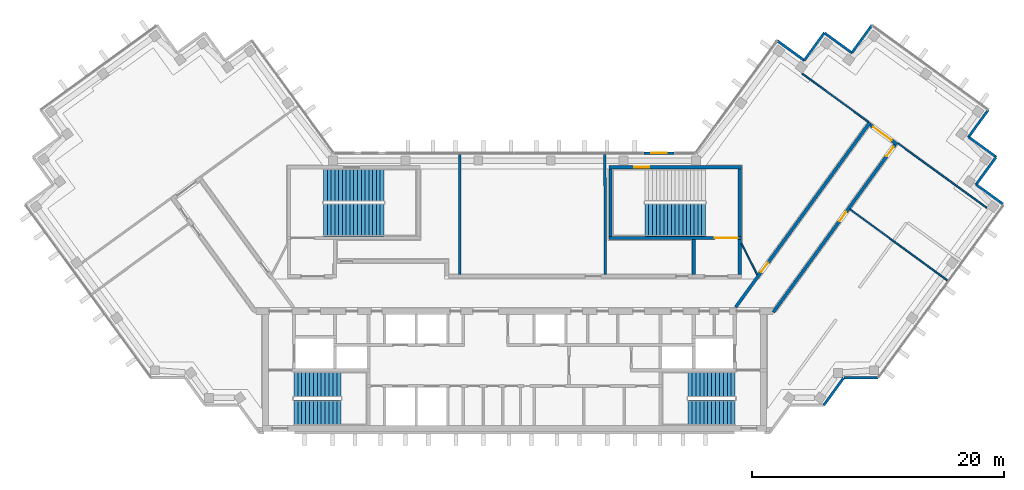
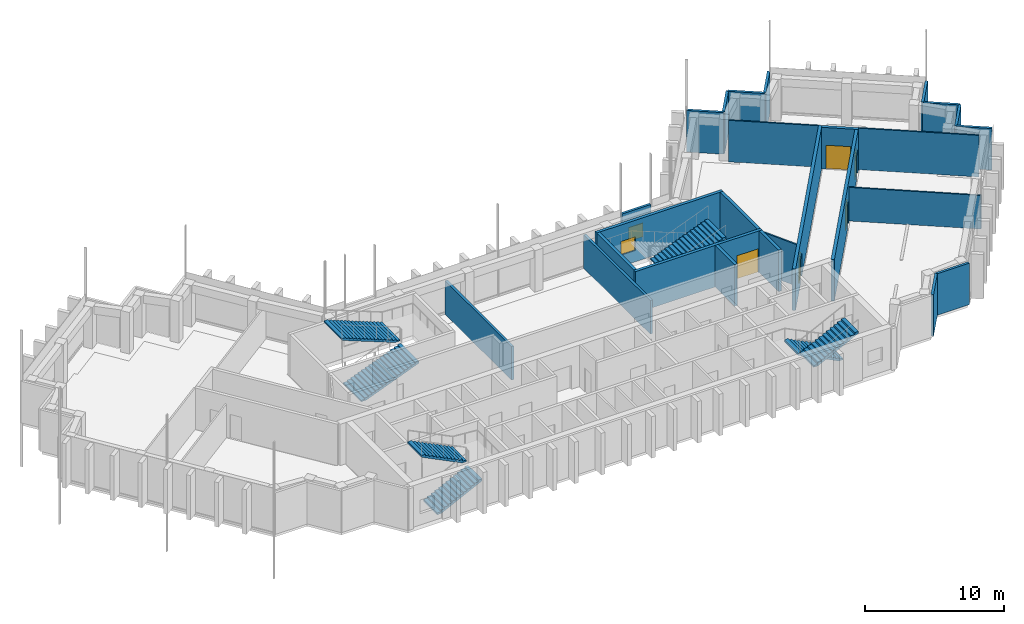
# One storey, part 11 of 14: 26 walls, 7 stair flights, 5 doors, 2 windows, 7 openings, 4 elements without a shape of their own.
"""IFC4 building model written with IfcOpenShell, lengths in metres."""

from ifc_helpers import new_model, si_unit, direction, frame, frame_2d, origin, place, context, subcontext, project, spatial, polyline, rectangle, outline, extrude, material, layer, layer_set, type_object, element, fill, aggregate, save


model = new_model("IFC4")

# Units and contexts
model_context = context("Model", 3, precision=1e-05, world=origin(), true_north=direction((0.0, 1.0)))
body_context = subcontext(model_context, "Body", "Model", "MODEL_VIEW")
ifc_project = project(units=[si_unit("LENGTHUNIT", "METRE"), si_unit("AREAUNIT", "SQUARE_METRE"), si_unit("VOLUMEUNIT", "CUBIC_METRE"), si_unit("PLANEANGLEUNIT", "RADIAN"), si_unit("MASSUNIT", "GRAM", prefix="KILO")], contexts=[model_context])

# Site, building, storey
site_placement = place(None, origin())
site = spatial("IfcSite", under=ifc_project, at=site_placement, CompositionType="ELEMENT")
building_placement = place(site_placement, origin())
building = spatial("IfcBuilding", under=site, at=building_placement, Name="Quipu Civic Tower", CompositionType="ELEMENT")
storey_placement = place(building_placement, frame((0.0, 0.0, 323.0)))
storey = spatial("IfcBuildingStorey", under=building, at=storey_placement, Name="L75", CompositionType="ELEMENT", Elevation=323.0)

# Walls
ifc_material_1 = material(Name="Fired clay blockwork", Category="masonry")
ifc_layer_1 = layer(ifc_material_1, 0.199951171875)
ifc_layer_set_1 = layer_set([ifc_layer_1], Name="Fired clay blockwork")
wall_type_1 = type_object("IfcWallType", Name="Blockwork wall 200", PredefinedType="SOLIDWALL", material=ifc_layer_set_1)
for number, where, z_axis, x_axis, name in (
    (1, (-4.339111328125, 1.449951171875, 0.0), (0.0, 0.0, 1.0), (0.0, 1.0, 0.0), "Partition P04"),
    (2, (7.197998046875, 1.449951171875, 0.0), (0.0, 0.0, 1.0), (-0.002377476217, 0.999997173799, 0.0), "Partition P08"),
):
    element("IfcWall", number, at=place(storey_placement, frame(where, z_axis=z_axis, x_axis=x_axis)), inside=storey, type_object=wall_type_1, Name=name, PredefinedType="SOLIDWALL", context=body_context, shape_type="SweptSolid", body=[
        extrude(rectangle(XDim=9.550048828125, YDim=0.199951171875, at=frame_2d((4.77490234375, 0.0))), origin(), (0.0, 0.0, 1.0), 2.949951171875),
    ])
ifc_material_2 = material(Name="Concrete C70/85", Category="concrete")
ifc_layer_2 = layer(ifc_material_2, 0.25)
ifc_layer_set_2 = layer_set([ifc_layer_2], Name="Concrete C70/85")
wall_type_2 = type_object("IfcWallType", Name="Core wall 250", PredefinedType="SHEAR", material=ifc_layer_set_2)
for number, where, z_axis, x_axis, name in (
    (3, (14.22509765625, 1.449951171875, 0.0), (0.0, 0.0, 1.0), (0.0, 1.0, 0.0), "Core wall"),
    (4, (17.875, 1.449951171875, 0.0), (0.0, 0.0, 1.0), (0.0, 1.0, 0.0), "Core wall"),
):
    element("IfcWall", number, at=place(storey_placement, frame(where, z_axis=z_axis, x_axis=x_axis)), inside=storey, type_object=wall_type_2, Name=name, PredefinedType="SHEAR", context=body_context, shape_type="SweptSolid", body=[
        extrude(rectangle(XDim=2.800048828125, YDim=0.25, at=frame_2d((1.39990234375, 0.0))), origin(), (0.0, 0.0, 1.0), 3.64990234375),
    ])

# Wall, opening, door
wall_1_placement = place(storey_placement, frame((7.5, 4.375, 0.0), z_axis=(0.0, 0.0, 1.0), x_axis=(1.0, 0.0, 0.0)))
wall_1 = element("IfcWall", 5, at=wall_1_placement, inside=storey, type_object=wall_type_2, Name="Core wall", PredefinedType="SHEAR", context=body_context, shape_type="SweptSolid", body=[
    extrude(rectangle(XDim=10.5, YDim=0.25, at=frame_2d((5.25, 0.0))), origin(), (0.0, 0.0, 1.0), 3.64990234375),
])
opening_1_placement = place(wall_1_placement, frame((8.39990234375, 0.0, 0.0)))
opening_1 = element("IfcOpeningElement", 6, at=opening_1_placement, cuts=wall_1, Name="Opening CD-31", PredefinedType="OPENING", context=body_context, shape_type="SweptSolid", body=[
    extrude(rectangle(XDim=1.800048828125, YDim=2.10009765625, at=frame_2d((0.89990234375, 1.050048828125))), frame((0.0, 0.135009765625, 0.0), z_axis=(0.0, -1.0, 0.0), x_axis=(1.0, 0.0, 0.0)), (0.0, 0.0, 1.0), 0.27001953125),
])
ifc_material_3 = material(Name="Fire rated steel door", Category="steel")
door_type_1 = type_object("IfcDoorType", Name="Fire door FD90 double 1800 x 2100", OperationType="NOTDEFINED", PredefinedType="DOOR", material=ifc_material_3)
door_1_placement = place(opening_1_placement, origin())
door_1 = element("IfcDoor", 7, at=door_1_placement, inside=storey, type_object=door_type_1, Name="Door", OperationType="DOUBLE_DOOR_SINGLE_SWING", OverallHeight=2.10009765625, OverallWidth=1.800048828125, PredefinedType="DOOR", context=body_context, shape_type="SweptSolid", body=[
    extrude(rectangle(XDim=1.800048828125, YDim=2.10009765625, at=frame_2d((0.89990234375, 1.050048828125))), frame((0.0, 0.02490234375, 0.0), z_axis=(0.0, -1.0, 0.0), x_axis=(1.0, 0.0, 0.0)), (0.0, 0.0, 1.0), 0.050048828125),
])
fill(opening_1, door_1)

# Walls
for number, where, z_axis, x_axis, name in (
    (8, (7.625, 4.5, 0.0), (0.0, 0.0, 1.0), (0.0, 1.0, 0.0), "Core wall"),
    (9, (17.875, 4.5, 0.0), (0.0, 0.0, 1.0), (0.0, 1.0, 0.0), "Core wall"),
):
    element("IfcWall", number, at=place(storey_placement, frame(where, z_axis=z_axis, x_axis=x_axis)), inside=storey, type_object=wall_type_2, Name=name, PredefinedType="SHEAR", context=body_context, shape_type="SweptSolid", body=[
        extrude(rectangle(XDim=5.35009765625, YDim=0.25, at=frame_2d((2.675048828125, 0.0))), origin(), (0.0, 0.0, 1.0), 3.64990234375),
    ])

# Wall, opening, window
wall_2_placement = place(storey_placement, frame((7.5, 9.97509765625, 0.0), z_axis=(0.0, 0.0, 1.0), x_axis=(1.0, 0.0, 0.0)))
wall_2 = element("IfcWall", 10, at=wall_2_placement, inside=storey, type_object=wall_type_2, Name="Core wall", PredefinedType="SHEAR", context=body_context, shape_type="SweptSolid", body=[
    extrude(rectangle(XDim=10.5, YDim=0.25, at=frame_2d((5.25, 0.0))), origin(), (0.0, 0.0, 1.0), 3.64990234375),
])
opening_2_placement = place(wall_2_placement, frame((2.0, 0.0, 1.0)))
opening_2 = element("IfcOpeningElement", 11, at=opening_2_placement, cuts=wall_2, Name="Opening SV-4", PredefinedType="OPENING", context=body_context, shape_type="SweptSolid", body=[
    extrude(rectangle(XDim=1.199951171875, YDim=1.199951171875, at=frame_2d((0.60009765625, 0.60009765625))), frame((0.0, 0.135009765625, 0.0), z_axis=(0.0, -1.0, 0.0), x_axis=(1.0, 0.0, 0.0)), (0.0, 0.0, 1.0), 0.27001953125),
])
ifc_material_4 = material(Name="Aluminium louvre", Category="aluminium")
window_type_1 = type_object("IfcWindowType", Name="Stair ventilation louvre 1200 x 1200", PartitioningType="SINGLE_PANEL", PredefinedType="WINDOW", material=ifc_material_4)
window_1_placement = place(opening_2_placement, origin())
window_1 = element("IfcWindow", 12, at=window_1_placement, inside=storey, type_object=window_type_1, Name="Stair ventilation opening", OverallHeight=1.199951171875, OverallWidth=1.199951171875, PartitioningType="SINGLE_PANEL", PredefinedType="WINDOW", context=body_context, shape_type="SweptSolid", body=[
    extrude(rectangle(XDim=1.199951171875, YDim=1.199951171875, at=frame_2d((0.60009765625, 0.60009765625))), frame((0.0, 0.030029296875, 0.0), z_axis=(0.0, -1.0, 0.0), x_axis=(1.0, 0.0, 0.0)), (0.0, 0.0, 1.0), 0.06005859375),
])
fill(opening_2, window_1)

# Wall, opening, door
ifc_material_5 = material(Name="Concrete C50/60", Category="concrete")
ifc_layer_3 = layer(ifc_material_5, 0.25)
ifc_layer_set_3 = layer_set([ifc_layer_3], Name="Concrete C50/60")
wall_type_3 = type_object("IfcWallType", Name="Corridor wall 250 concrete", PredefinedType="SOLIDWALL", material=ifc_layer_set_3)
wall_3_placement = place(storey_placement, frame((17.544921875, -1.124755859375, 0.0), z_axis=(0.0, 0.0, 1.0), x_axis=(0.58779555165, 0.809009511354, 0.0)))
wall_3 = element("IfcWall", 13, at=wall_3_placement, inside=storey, type_object=wall_type_3, Name="Corridor wall C01", PredefinedType="SOLIDWALL", context=body_context, shape_type="SweptSolid", body=[
    extrude(rectangle(XDim=18.10302734375, YDim=0.25, at=frame_2d((9.051513671875, 0.0))), origin(), (0.0, 0.0, 1.0), 3.64990234375),
])
opening_3_placement = place(wall_3_placement, frame((3.44140625, 0.0, 0.0)))
opening_3 = element("IfcOpeningElement", 14, at=opening_3_placement, cuts=wall_3, Name="Opening D001", PredefinedType="OPENING", context=body_context, shape_type="SweptSolid", body=[
    extrude(rectangle(XDim=0.89990234375, YDim=2.10009765625, at=frame_2d((0.449951171875, 1.050048828125))), frame((0.0, 0.135009765625, 0.0), z_axis=(0.0, -1.0, 0.0), x_axis=(1.0, 0.0, 0.0)), (0.0, 0.0, 1.0), 0.27001953125),
])
ifc_material_6 = material(Name="Fire rated timber door set with metal frame", Category="wood")
door_type_2 = type_object("IfcDoorType", Name="Single door 900 x 2100 FD60", OperationType="NOTDEFINED", PredefinedType="DOOR", material=ifc_material_6)
door_2_placement = place(opening_3_placement, origin())
door_2 = element("IfcDoor", 15, at=door_2_placement, inside=storey, type_object=door_type_2, Name="Door D001", OperationType="SINGLE_SWING_LEFT", OverallHeight=2.10009765625, OverallWidth=0.89990234375, PredefinedType="DOOR", context=body_context, shape_type="SweptSolid", body=[
    extrude(rectangle(XDim=0.89990234375, YDim=2.10009765625, at=frame_2d((0.449951171875, 1.050048828125))), frame((0.0, 0.02490234375, 0.0), z_axis=(0.0, -1.0, 0.0), x_axis=(1.0, 0.0, 0.0)), (0.0, 0.0, 1.0), 0.050048828125),
])
fill(opening_3, door_2)

wall_4_placement = place(storey_placement, frame((28.21337890625, 13.34619140625, 0.0), z_axis=(0.0, 0.0, 1.0), x_axis=(0.809006914995, -0.587799125119, 0.0)))
wall_4 = element("IfcWall", 16, at=wall_4_placement, inside=storey, type_object=wall_type_3, Name="Corridor wall C02", PredefinedType="SOLIDWALL", context=body_context, shape_type="SweptSolid", body=[
    extrude(rectangle(XDim=2.64990234375, YDim=0.25, at=frame_2d((1.324951171875, 0.0))), origin(), (0.0, 0.0, 1.0), 3.64990234375),
])
opening_4_placement = place(wall_4_placement, frame((0.30029296875, 0.0, 0.0)))
opening_4 = element("IfcOpeningElement", 17, at=opening_4_placement, cuts=wall_4, Name="Opening D004", PredefinedType="OPENING", context=body_context, shape_type="SweptSolid", body=[
    extrude(rectangle(XDim=1.800048828125, YDim=2.10009765625, at=frame_2d((0.89990234375, 1.050048828125))), frame((0.0, 0.135009765625, 0.0), z_axis=(0.0, -1.0, 0.0), x_axis=(1.0, 0.0, 0.0)), (0.0, 0.0, 1.0), 0.27001953125),
])
ifc_material_7 = material(Name="Fire rated timber door set with metal frame", Category="wood")
door_type_3 = type_object("IfcDoorType", Name="Double door 1800 x 2100 FD60", OperationType="DOUBLE_DOOR_SINGLE_SWING", PredefinedType="DOOR", material=ifc_material_7)
door_3_placement = place(opening_4_placement, origin())
door_3 = element("IfcDoor", 18, at=door_3_placement, inside=storey, type_object=door_type_3, Name="Door D004", OperationType="DOUBLE_DOOR_SINGLE_SWING", OverallHeight=2.10009765625, OverallWidth=1.800048828125, PredefinedType="DOOR", context=body_context, shape_type="SweptSolid", body=[
    extrude(rectangle(XDim=1.800048828125, YDim=2.10009765625, at=frame_2d((0.89990234375, 1.050048828125))), frame((0.0, 0.02490234375, 0.0), z_axis=(0.0, -1.0, 0.0), x_axis=(1.0, 0.0, 0.0)), (0.0, 0.0, 1.0), 0.050048828125),
])
fill(opening_4, door_3)

# Wall, openings, doors
wall_5_placement = place(storey_placement, frame((30.1826171875, 11.760986328125, 0.0), z_axis=(0.0, 0.0, 1.0), x_axis=(-0.587781762867, -0.80901952958, 0.0)))
wall_5 = element("IfcWall", 19, at=wall_5_placement, inside=storey, type_object=wall_type_3, Name="Corridor wall C03", PredefinedType="SOLIDWALL", context=body_context, shape_type="SweptSolid", body=[
    extrude(rectangle(XDim=16.42041015625, YDim=0.25, at=frame_2d((8.210205078125, 0.0))), origin(), (0.0, 0.0, 1.0), 3.64990234375),
])
opening_5_placement = place(wall_5_placement, frame((0.224609375, 0.0, 0.0)))
opening_5 = element("IfcOpeningElement", 20, at=opening_5_placement, cuts=wall_5, Name="Opening D003", PredefinedType="OPENING", context=body_context, shape_type="SweptSolid", body=[
    extrude(rectangle(XDim=0.89990234375, YDim=2.10009765625, at=frame_2d((0.449951171875, 1.050048828125))), frame((0.0, 0.135009765625, 0.0), z_axis=(0.0, -1.0, 0.0), x_axis=(1.0, 0.0, 0.0)), (0.0, 0.0, 1.0), 0.27001953125),
])
opening_6_placement = place(wall_5_placement, frame((6.604736328125, 0.0, 0.0)))
opening_6 = element("IfcOpeningElement", 21, at=opening_6_placement, cuts=wall_5, Name="Opening D002", PredefinedType="OPENING", context=body_context, shape_type="SweptSolid", body=[
    extrude(rectangle(XDim=0.89990234375, YDim=2.10009765625, at=frame_2d((0.449951171875, 1.050048828125))), frame((0.0, 0.135009765625, 0.0), z_axis=(0.0, -1.0, 0.0), x_axis=(1.0, 0.0, 0.0)), (0.0, 0.0, 1.0), 0.27001953125),
])
door_4_placement = place(opening_5_placement, origin())
door_4 = element("IfcDoor", 22, at=door_4_placement, inside=storey, type_object=door_type_2, Name="Door D003", OperationType="SINGLE_SWING_LEFT", OverallHeight=2.10009765625, OverallWidth=0.89990234375, PredefinedType="DOOR", context=body_context, shape_type="SweptSolid", body=[
    extrude(rectangle(XDim=0.89990234375, YDim=2.10009765625, at=frame_2d((0.449951171875, 1.050048828125))), frame((0.0, 0.02490234375, 0.0), z_axis=(0.0, -1.0, 0.0), x_axis=(1.0, 0.0, 0.0)), (0.0, 0.0, 1.0), 0.050048828125),
])
fill(opening_5, door_4)
door_5_placement = place(opening_6_placement, origin())
door_5 = element("IfcDoor", 23, at=door_5_placement, inside=storey, type_object=door_type_2, Name="Door D002", OperationType="SINGLE_SWING_LEFT", OverallHeight=2.10009765625, OverallWidth=0.89990234375, PredefinedType="DOOR", context=body_context, shape_type="SweptSolid", body=[
    extrude(rectangle(XDim=0.89990234375, YDim=2.10009765625, at=frame_2d((0.449951171875, 1.050048828125))), frame((0.0, 0.02490234375, 0.0), z_axis=(0.0, -1.0, 0.0), x_axis=(1.0, 0.0, 0.0)), (0.0, 0.0, 1.0), 0.050048828125),
])
fill(opening_6, door_5)

# Walls
ifc_material_8 = material(Name="Gypsum plasterboard on light gauge framing")
ifc_layer_4 = layer(ifc_material_8, 0.1201171875)
ifc_layer_set_4 = layer_set([ifc_layer_4], Name="Gypsum plasterboard on light gauge framing")
wall_type_4 = type_object("IfcWallType", Name="Partition 120 plasterboard", PredefinedType="PARTITIONING", material=ifc_layer_set_4)
wall_6_placement = place(storey_placement, frame((28.0732421875, 13.577880859375, 0.0), z_axis=(0.0, 0.0, 1.0), x_axis=(-0.809000932727, 0.587807358619, 0.0)))
element("IfcWall", 24, at=wall_6_placement, inside=storey, type_object=wall_type_4, Name="Partition P01", PredefinedType="PARTITIONING", context=body_context, shape_type="SweptSolid", body=[
    extrude(rectangle(XDim=6.49560546875, YDim=0.1201171875, at=frame_2d((3.247802734375, 0.0))), origin(), (0.0, 0.0, 1.0), 3.64990234375),
])
wall_7_placement = place(storey_placement, frame((37.4580078125, 6.759765625, 0.0), z_axis=(0.0, 0.0, 1.0), x_axis=(-0.809016295501, 0.587786214209, 0.0)))
element("IfcWall", 25, at=wall_7_placement, inside=storey, type_object=wall_type_4, Name="Partition P02", PredefinedType="PARTITIONING", context=body_context, shape_type="SweptSolid", body=[
    extrude(rectangle(XDim=8.700439453125, YDim=0.1201171875, at=frame_2d((4.35009765625, 0.0))), origin(), (0.0, 0.0, 1.0), 3.64990234375),
])
wall_8_placement = place(storey_placement, frame((26.618896484375, 6.643310546875, 0.0), z_axis=(0.0, 0.0, 1.0), x_axis=(0.807594822539, -0.589737740532, 0.0)))
element("IfcWall", 26, at=wall_8_placement, inside=storey, type_object=wall_type_4, Name="Partition P03", PredefinedType="PARTITIONING", context=body_context, shape_type="SweptSolid", body=[
    extrude(rectangle(XDim=9.550048828125, YDim=0.1201171875, at=frame_2d((4.77490234375, 0.0))), origin(), (0.0, 0.0, 1.0), 2.949951171875),
])
wall_9_placement = place(storey_placement, frame((18.0, 3.925048828125, 0.0), z_axis=(0.0, 0.0, 1.0), x_axis=(0.453950796792, -0.891026752736, 0.0)))
element("IfcWall", 27, at=wall_9_placement, inside=storey, type_object=wall_type_4, Name="Partition P09", PredefinedType="PARTITIONING", context=body_context, shape_type="SweptSolid", body=[
    extrude(rectangle(XDim=2.77783203125, YDim=0.1201171875, at=frame_2d((1.388916015625, 0.0))), origin(), (0.0, 0.0, 1.0), 3.64990234375),
])
ifc_material_9 = material(Name="Precast concrete C40/50", Category="concrete")
wall_type_5 = type_object("IfcWallType", Name="Precast cladding wall", PredefinedType="SOLIDWALL", material=ifc_material_9)
wall_10_placement = place(storey_placement, frame((38.73291015625, 7.069091796875, 0.0), z_axis=(0.0, 0.0, 1.0), x_axis=(-0.80901210161, 0.587791986546, 0.0)))
element("IfcWall", 28, at=wall_10_placement, inside=storey, type_object=wall_type_5, Name="Precast cladding wall L75 P01", PredefinedType="SOLIDWALL", context=body_context, shape_type="SweptSolid", body=[
    extrude(rectangle(XDim=2.60009765625, YDim=0.199951171875, at=frame_2d((1.300048828125, 0.0))), origin(), (0.0, 0.0, 1.0), 3.64990234375),
])
for number, where, z_axis, x_axis, name in (
    (29, (36.60205078125, 8.580322265625, 0.0), (0.0, 0.0, 1.0), (0.587822180636, 0.808990163075, 0.0), "Precast cladding wall L75 P02"),
    (30, (38.21630859375, 10.78173828125, 0.0), (0.0, 0.0, 1.0), (-0.809033161865, 0.587762999008, 0.0), "Precast cladding wall L75 P03"),
    (31, (36.0048828125, 12.3515625, 0.0), (0.0, 0.0, 1.0), (0.587762999008, 0.809033161865, 0.0), "Precast cladding wall L75 P24"),
):
    element("IfcWall", number, at=place(storey_placement, frame(where, z_axis=z_axis, x_axis=x_axis)), inside=storey, type_object=wall_type_5, Name=name, PredefinedType="SOLIDWALL", context=body_context, shape_type="SweptSolid", body=[
        extrude(rectangle(XDim=2.699951171875, YDim=0.199951171875, at=frame_2d((1.35009765625, 0.0))), origin(), (0.0, 0.0, 1.0), 3.64990234375),
    ])
for number, where, z_axis, x_axis, name in (
    (32, (28.3544921875, 21.247314453125, 0.0), (0.0, 0.0, 1.0), (-0.587720002413, -0.809064397168, 0.0), "Precast cladding wall L75 P26"),
    (33, (26.78466796875, 19.03564453125, 0.0), (0.0, 0.0, 1.0), (-0.809064397168, 0.587720002413, 0.0), "Precast cladding wall L75 P27"),
):
    element("IfcWall", number, at=place(storey_placement, frame(where, z_axis=z_axis, x_axis=x_axis)), inside=storey, type_object=wall_type_5, Name=name, PredefinedType="SOLIDWALL", context=body_context, shape_type="SweptSolid", body=[
        extrude(rectangle(XDim=2.7001953125, YDim=0.199951171875, at=frame_2d((1.35009765625, 0.0))), origin(), (0.0, 0.0, 1.0), 3.64990234375),
    ])
for number, where, z_axis, x_axis, name in (
    (34, (24.583251953125, 20.64990234375, 0.0), (0.0, 0.0, 1.0), (-0.587762999008, -0.809033161865, 0.0), "Precast cladding wall L75 P28"),
    (35, (23.01318359375, 18.438232421875, 0.0), (0.0, 0.0, 1.0), (-0.808990163075, 0.587822180636, 0.0), "Precast cladding wall L75 P29"),
):
    element("IfcWall", number, at=place(storey_placement, frame(where, z_axis=z_axis, x_axis=x_axis)), inside=storey, type_object=wall_type_5, Name=name, PredefinedType="SOLIDWALL", context=body_context, shape_type="SweptSolid", body=[
        extrude(rectangle(XDim=2.699951171875, YDim=0.199951171875, at=frame_2d((1.35009765625, 0.0))), origin(), (0.0, 0.0, 1.0), 3.64990234375),
    ])

# Wall, opening, window
wall_11_placement = place(storey_placement, frame((12.655029296875, 11.10009765625, 0.0), z_axis=(0.0, 0.0, 1.0), x_axis=(-1.0, 0.0, 0.0)))
wall_11 = element("IfcWall", 36, at=wall_11_placement, inside=storey, type_object=wall_type_5, Name="Vent surround SF-L74-2", PredefinedType="SOLIDWALL", context=body_context, shape_type="SweptSolid", body=[
    extrude(rectangle(XDim=2.3916015625, YDim=0.199951171875, at=frame_2d((1.19580078125, 0.0))), origin(), (0.0, 0.0, 1.0), 3.64990234375),
])
opening_7_placement = place(wall_11_placement, frame((0.595703125, 0.0, 1.0)))
opening_7 = element("IfcOpeningElement", 37, at=opening_7_placement, cuts=wall_11, Name="Opening SF-L74-2", PredefinedType="OPENING", context=body_context, shape_type="SweptSolid", body=[
    extrude(rectangle(XDim=1.199951171875, YDim=1.199951171875, at=frame_2d((0.60009765625, 0.60009765625))), frame((0.0, 0.10986328125, 0.0), z_axis=(0.0, -1.0, 0.0), x_axis=(1.0, 0.0, 0.0)), (0.0, 0.0, 1.0), 0.219970703125),
])
ifc_material_10 = material(Name="Anodised aluminium louvre", Category="aluminium")
window_type_2 = type_object("IfcWindowType", Name="Stair vent louvre window P3", PartitioningType="SINGLE_PANEL", PredefinedType="WINDOW", material=ifc_material_10)
window_2_placement = place(opening_7_placement, origin())
window_2 = element("IfcWindow", 38, at=window_2_placement, inside=storey, type_object=window_type_2, Name="Stair vent louvre SF-L74-2", OverallHeight=1.199951171875, OverallWidth=1.199951171875, PartitioningType="SINGLE_PANEL", PredefinedType="WINDOW", context=body_context, shape_type="SweptSolid", body=[
    extrude(rectangle(XDim=1.199951171875, YDim=1.199951171875, at=frame_2d((0.60009765625, 0.60009765625))), frame((0.0, 0.030029296875, 0.0), z_axis=(0.0, -1.0, 0.0), x_axis=(1.0, 0.0, 0.0)), (0.0, 0.0, 1.0), 0.06005859375),
])
fill(opening_7, window_2)

# Walls
wall_12_placement = place(storey_placement, frame((24.533203125, -8.90869140625, 0.0), z_axis=(0.0, 0.0, 1.0), x_axis=(0.587720002413, 0.809064397168, 0.0)))
element("IfcWall", 39, at=wall_12_placement, inside=storey, type_object=wall_type_5, Name="Precast cladding wall L75 2", PredefinedType="SOLIDWALL", context=body_context, shape_type="SweptSolid", body=[
    extrude(rectangle(XDim=2.7001953125, YDim=0.199951171875, at=frame_2d((1.35009765625, 0.0))), origin(), (0.0, 0.0, 1.0), 3.64990234375),
])
wall_13_placement = place(storey_placement, frame((26.1298828125, -6.71923828125, 0.0), z_axis=(0.0, 0.0, 1.0), x_axis=(1.0, 0.0, 0.0)))
element("IfcWall", 40, at=wall_13_placement, inside=storey, type_object=wall_type_5, Name="Precast cladding wall L75 3", PredefinedType="SOLIDWALL", context=body_context, shape_type="SweptSolid", body=[
    extrude(rectangle(XDim=2.699951171875, YDim=0.199951171875, at=frame_2d((1.35009765625, 0.0))), origin(), (0.0, 0.0, 1.0), 3.64990234375),
])

# Stair, stair flights
ifc_material_11 = material(Name="Concrete C40/50", Category="concrete")
stair_type_1 = type_object("IfcStairType", Name="Half turn stair 2000", PredefinedType="HALF_TURN_STAIR", material=ifc_material_11)
stair_1_placement = place(storey_placement, origin())
stair_1 = element("IfcStair", 41, at=stair_1_placement, inside=storey, type_object=stair_type_1, Name="Exit stair 1", PredefinedType="HALF_TURN_STAIR")
ifc_material_12 = material(Name="Concrete C40/50", Category="concrete")
stair_flight_type_1 = type_object("IfcStairFlightType", Name="Stair flight 2000", PredefinedType="STRAIGHT", material=ifc_material_12)
stair_flight_1_placement = place(storey_placement, frame((-17.5, -9.5, 0.0), z_axis=(0.0, 0.0, 1.0), x_axis=(1.0, 0.0, 0.0)))
stair_flight_1 = element("IfcStairFlight", 42, at=stair_flight_1_placement, type_object=stair_flight_type_1, Name="ST-1 flight 1", NumberOfRisers=13, NumberOfTreads=12, PredefinedType="STRAIGHT", RiserHeight=0.153846154, TreadLength=0.31, context=body_context, shape_type="SweptSolid", body=[
    extrude(outline(polyline([(0.0, 0.0), (0.0, 0.15380859375), (0.31005859375, 0.15380859375), (0.31005859375, 0.3076171875), (0.6201171875, 0.3076171875), (0.6201171875, 0.46142578125), (0.929931640625, 0.46142578125), (0.929931640625, 0.615478515625), (1.239990234375, 0.615478515625), (1.239990234375, 0.769287109375), (1.550048828125, 0.769287109375), (1.550048828125, 0.923095703125), (1.860107421875, 0.923095703125), (1.860107421875, 1.076904296875), (2.169921875, 1.076904296875), (2.169921875, 1.230712890625), (2.47998046875, 1.230712890625), (2.47998046875, 1.384521484375), (2.7900390625, 1.384521484375), (2.7900390625, 1.53857421875), (3.10009765625, 1.53857421875), (3.10009765625, 1.6923828125), (3.409912109375, 1.6923828125), (3.409912109375, 1.84619140625), (3.719970703125, 1.84619140625), (3.719970703125, 2.0), (3.719970703125, 1.6787109375), (0.337158203125, 0.0), (0.0, 0.0)])), frame((0.0, 1.0, 0.0), z_axis=(0.0, -1.0, 0.0), x_axis=(1.0, 0.0, 0.0)), (0.0, 0.0, 1.0), 2.0),
])
stair_flight_2_placement = place(storey_placement, frame((-13.780029296875, -7.25, 2.0), z_axis=(0.0, 0.0, 1.0), x_axis=(-1.0, 0.0, 0.0)))
stair_flight_2 = element("IfcStairFlight", 43, at=stair_flight_2_placement, type_object=stair_flight_type_1, Name="ST-1 flight 2", NumberOfRisers=13, NumberOfTreads=12, PredefinedType="STRAIGHT", RiserHeight=0.153846154, TreadLength=0.31, context=body_context, shape_type="SweptSolid", body=[
    extrude(outline(polyline([(0.0, 0.0), (0.0, 0.15380859375), (0.31005859375, 0.15380859375), (0.31005859375, 0.3076171875), (0.6201171875, 0.3076171875), (0.6201171875, 0.46142578125), (0.929931640625, 0.46142578125), (0.929931640625, 0.615478515625), (1.239990234375, 0.615478515625), (1.239990234375, 0.769287109375), (1.550048828125, 0.769287109375), (1.550048828125, 0.923095703125), (1.860107421875, 0.923095703125), (1.860107421875, 1.076904296875), (2.169921875, 1.076904296875), (2.169921875, 1.230712890625), (2.47998046875, 1.230712890625), (2.47998046875, 1.384521484375), (2.7900390625, 1.384521484375), (2.7900390625, 1.53857421875), (3.10009765625, 1.53857421875), (3.10009765625, 1.6923828125), (3.409912109375, 1.6923828125), (3.409912109375, 1.84619140625), (3.719970703125, 1.84619140625), (3.719970703125, 2.0), (3.719970703125, 1.6787109375), (0.337158203125, 0.0), (0.0, 0.0)])), frame((0.0, 1.0, 0.0), z_axis=(0.0, -1.0, 0.0), x_axis=(1.0, 0.0, 0.0)), (0.0, 0.0, 1.0), 2.0),
])
aggregate(stair_1, [stair_flight_1, stair_flight_2])

stair_2_placement = place(storey_placement, origin())
stair_2 = element("IfcStair", 44, at=stair_2_placement, inside=storey, type_object=stair_type_1, Name="Exit stair 2", PredefinedType="HALF_TURN_STAIR")
stair_flight_3_placement = place(storey_placement, frame((17.5, -7.25, 0.0), z_axis=(0.0, 0.0, 1.0), x_axis=(-1.0, 0.0, 0.0)))
stair_flight_3 = element("IfcStairFlight", 45, at=stair_flight_3_placement, type_object=stair_flight_type_1, Name="ST-2 flight 1", NumberOfRisers=13, NumberOfTreads=12, PredefinedType="STRAIGHT", RiserHeight=0.153846154, TreadLength=0.31, context=body_context, shape_type="SweptSolid", body=[
    extrude(outline(polyline([(0.0, 0.0), (0.0, 0.15380859375), (0.31005859375, 0.15380859375), (0.31005859375, 0.3076171875), (0.6201171875, 0.3076171875), (0.6201171875, 0.46142578125), (0.929931640625, 0.46142578125), (0.929931640625, 0.615478515625), (1.239990234375, 0.615478515625), (1.239990234375, 0.769287109375), (1.550048828125, 0.769287109375), (1.550048828125, 0.923095703125), (1.860107421875, 0.923095703125), (1.860107421875, 1.076904296875), (2.169921875, 1.076904296875), (2.169921875, 1.230712890625), (2.47998046875, 1.230712890625), (2.47998046875, 1.384521484375), (2.7900390625, 1.384521484375), (2.7900390625, 1.53857421875), (3.10009765625, 1.53857421875), (3.10009765625, 1.6923828125), (3.409912109375, 1.6923828125), (3.409912109375, 1.84619140625), (3.719970703125, 1.84619140625), (3.719970703125, 2.0), (3.719970703125, 1.6787109375), (0.337158203125, 0.0), (0.0, 0.0)])), frame((0.0, 1.0, 0.0), z_axis=(0.0, -1.0, 0.0), x_axis=(1.0, 0.0, 0.0)), (0.0, 0.0, 1.0), 2.0),
])
stair_flight_4_placement = place(storey_placement, frame((13.780029296875, -9.5, 2.0), z_axis=(0.0, 0.0, 1.0), x_axis=(1.0, 0.0, 0.0)))
stair_flight_4 = element("IfcStairFlight", 46, at=stair_flight_4_placement, type_object=stair_flight_type_1, Name="ST-2 flight 2", NumberOfRisers=13, NumberOfTreads=12, PredefinedType="STRAIGHT", RiserHeight=0.153846154, TreadLength=0.31, context=body_context, shape_type="SweptSolid", body=[
    extrude(outline(polyline([(0.0, 0.0), (0.0, 0.15380859375), (0.31005859375, 0.15380859375), (0.31005859375, 0.3076171875), (0.6201171875, 0.3076171875), (0.6201171875, 0.46142578125), (0.929931640625, 0.46142578125), (0.929931640625, 0.615478515625), (1.239990234375, 0.615478515625), (1.239990234375, 0.769287109375), (1.550048828125, 0.769287109375), (1.550048828125, 0.923095703125), (1.860107421875, 0.923095703125), (1.860107421875, 1.076904296875), (2.169921875, 1.076904296875), (2.169921875, 1.230712890625), (2.47998046875, 1.230712890625), (2.47998046875, 1.384521484375), (2.7900390625, 1.384521484375), (2.7900390625, 1.53857421875), (3.10009765625, 1.53857421875), (3.10009765625, 1.6923828125), (3.409912109375, 1.6923828125), (3.409912109375, 1.84619140625), (3.719970703125, 1.84619140625), (3.719970703125, 2.0), (3.719970703125, 1.6787109375), (0.337158203125, 0.0), (0.0, 0.0)])), frame((0.0, 1.0, 0.0), z_axis=(0.0, -1.0, 0.0), x_axis=(1.0, 0.0, 0.0)), (0.0, 0.0, 1.0), 2.0),
])
aggregate(stair_2, [stair_flight_3, stair_flight_4])

ifc_material_13 = material(Name="Concrete C40/50", Category="concrete")
stair_type_2 = type_object("IfcStairType", Name="Half turn stair 2600", PredefinedType="HALF_TURN_STAIR", material=ifc_material_13)
stair_3_placement = place(storey_placement, origin())
stair_3 = element("IfcStair", 47, at=stair_3_placement, inside=storey, type_object=stair_type_2, Name="Exit stair 3", PredefinedType="HALF_TURN_STAIR")
ifc_material_14 = material(Name="Concrete C40/50", Category="concrete")
stair_flight_type_2 = type_object("IfcStairFlightType", Name="Stair flight 2600", PredefinedType="STRAIGHT", material=ifc_material_14)
stair_flight_5_placement = place(storey_placement, frame((-15.14990234375, 5.800048828125, 0.0), z_axis=(0.0, 0.0, 1.0), x_axis=(1.0, 0.0, 0.0)))
stair_flight_5 = element("IfcStairFlight", 48, at=stair_flight_5_placement, type_object=stair_flight_type_2, Name="ST-3 flight 1", NumberOfRisers=17, NumberOfTreads=16, PredefinedType="STRAIGHT", RiserHeight=0.117647059, TreadLength=0.3, context=body_context, shape_type="SweptSolid", body=[
    extrude(outline(polyline([(0.0, 0.0), (0.0, 0.11767578125), (0.300048828125, 0.11767578125), (0.300048828125, 0.2353515625), (0.60009765625, 0.2353515625), (0.60009765625, 0.35302734375), (0.89990234375, 0.35302734375), (0.89990234375, 0.470703125), (1.199951171875, 0.470703125), (1.199951171875, 0.588134765625), (1.5, 0.588134765625), (1.5, 0.705810546875), (1.800048828125, 0.705810546875), (1.800048828125, 0.823486328125), (2.10009765625, 0.823486328125), (2.10009765625, 0.941162109375), (2.39990234375, 0.941162109375), (2.39990234375, 1.058837890625), (2.699951171875, 1.058837890625), (2.699951171875, 1.176513671875), (3.0, 1.176513671875), (3.0, 1.294189453125), (3.300048828125, 1.294189453125), (3.300048828125, 1.411865234375), (3.60009765625, 1.411865234375), (3.60009765625, 1.529296875), (3.89990234375, 1.529296875), (3.89990234375, 1.64697265625), (4.199951171875, 1.64697265625), (4.199951171875, 1.7646484375), (4.5, 1.7646484375), (4.5, 1.88232421875), (4.800048828125, 1.88232421875), (4.800048828125, 2.0), (4.800048828125, 1.721435546875), (0.41064453125, 0.0), (0.0, 0.0)])), frame((0.0, 1.300048828125, 0.0), z_axis=(0.0, -1.0, 0.0), x_axis=(1.0, 0.0, 0.0)), (0.0, 0.0, 1.0), 2.60009765625),
])
stair_flight_6_placement = place(storey_placement, frame((-10.35009765625, 8.550048828125, 2.0), z_axis=(0.0, 0.0, 1.0), x_axis=(-1.0, 0.0, 0.0)))
stair_flight_6 = element("IfcStairFlight", 49, at=stair_flight_6_placement, type_object=stair_flight_type_2, Name="ST-3 flight 2", NumberOfRisers=17, NumberOfTreads=16, PredefinedType="STRAIGHT", RiserHeight=0.117647059, TreadLength=0.3, context=body_context, shape_type="SweptSolid", body=[
    extrude(outline(polyline([(0.0, 0.0), (0.0, 0.11767578125), (0.300048828125, 0.11767578125), (0.300048828125, 0.2353515625), (0.60009765625, 0.2353515625), (0.60009765625, 0.35302734375), (0.89990234375, 0.35302734375), (0.89990234375, 0.470703125), (1.199951171875, 0.470703125), (1.199951171875, 0.588134765625), (1.5, 0.588134765625), (1.5, 0.705810546875), (1.800048828125, 0.705810546875), (1.800048828125, 0.823486328125), (2.10009765625, 0.823486328125), (2.10009765625, 0.941162109375), (2.39990234375, 0.941162109375), (2.39990234375, 1.058837890625), (2.699951171875, 1.058837890625), (2.699951171875, 1.176513671875), (3.0, 1.176513671875), (3.0, 1.294189453125), (3.300048828125, 1.294189453125), (3.300048828125, 1.411865234375), (3.60009765625, 1.411865234375), (3.60009765625, 1.529296875), (3.89990234375, 1.529296875), (3.89990234375, 1.64697265625), (4.199951171875, 1.64697265625), (4.199951171875, 1.7646484375), (4.5, 1.7646484375), (4.5, 1.88232421875), (4.800048828125, 1.88232421875), (4.800048828125, 2.0), (4.800048828125, 1.721435546875), (0.41064453125, 0.0), (0.0, 0.0)])), frame((0.0, 1.300048828125, 0.0), z_axis=(0.0, -1.0, 0.0), x_axis=(1.0, 0.0, 0.0)), (0.0, 0.0, 1.0), 2.60009765625),
])
aggregate(stair_3, [stair_flight_5, stair_flight_6])

# Stair, stair flight
stair_4_placement = place(storey_placement, origin())
stair_4 = element("IfcStair", 50, at=stair_4_placement, inside=storey, type_object=stair_type_2, Name="Exit stair 4", PredefinedType="HALF_TURN_STAIR")
stair_flight_7_placement = place(storey_placement, frame((10.35009765625, 5.800048828125, 2.0), z_axis=(0.0, 0.0, 1.0), x_axis=(1.0, 0.0, 0.0)))
stair_flight_7 = element("IfcStairFlight", 51, at=stair_flight_7_placement, type_object=stair_flight_type_2, Name="ST-4 flight 2", NumberOfRisers=17, NumberOfTreads=16, PredefinedType="STRAIGHT", RiserHeight=0.117647059, TreadLength=0.3, context=body_context, shape_type="SweptSolid", body=[
    extrude(outline(polyline([(0.0, 0.0), (0.0, 0.11767578125), (0.300048828125, 0.11767578125), (0.300048828125, 0.2353515625), (0.60009765625, 0.2353515625), (0.60009765625, 0.35302734375), (0.89990234375, 0.35302734375), (0.89990234375, 0.470703125), (1.199951171875, 0.470703125), (1.199951171875, 0.588134765625), (1.5, 0.588134765625), (1.5, 0.705810546875), (1.800048828125, 0.705810546875), (1.800048828125, 0.823486328125), (2.10009765625, 0.823486328125), (2.10009765625, 0.941162109375), (2.39990234375, 0.941162109375), (2.39990234375, 1.058837890625), (2.699951171875, 1.058837890625), (2.699951171875, 1.176513671875), (3.0, 1.176513671875), (3.0, 1.294189453125), (3.300048828125, 1.294189453125), (3.300048828125, 1.411865234375), (3.60009765625, 1.411865234375), (3.60009765625, 1.529296875), (3.89990234375, 1.529296875), (3.89990234375, 1.64697265625), (4.199951171875, 1.64697265625), (4.199951171875, 1.7646484375), (4.5, 1.7646484375), (4.5, 1.88232421875), (4.800048828125, 1.88232421875), (4.800048828125, 2.0), (4.800048828125, 1.721435546875), (0.41064453125, 0.0), (0.0, 0.0)])), frame((0.0, 1.300048828125, 0.0), z_axis=(0.0, -1.0, 0.0), x_axis=(1.0, 0.0, 0.0)), (0.0, 0.0, 1.0), 2.60009765625),
])
aggregate(stair_4, [stair_flight_7])

save(model, "model.ifc")
